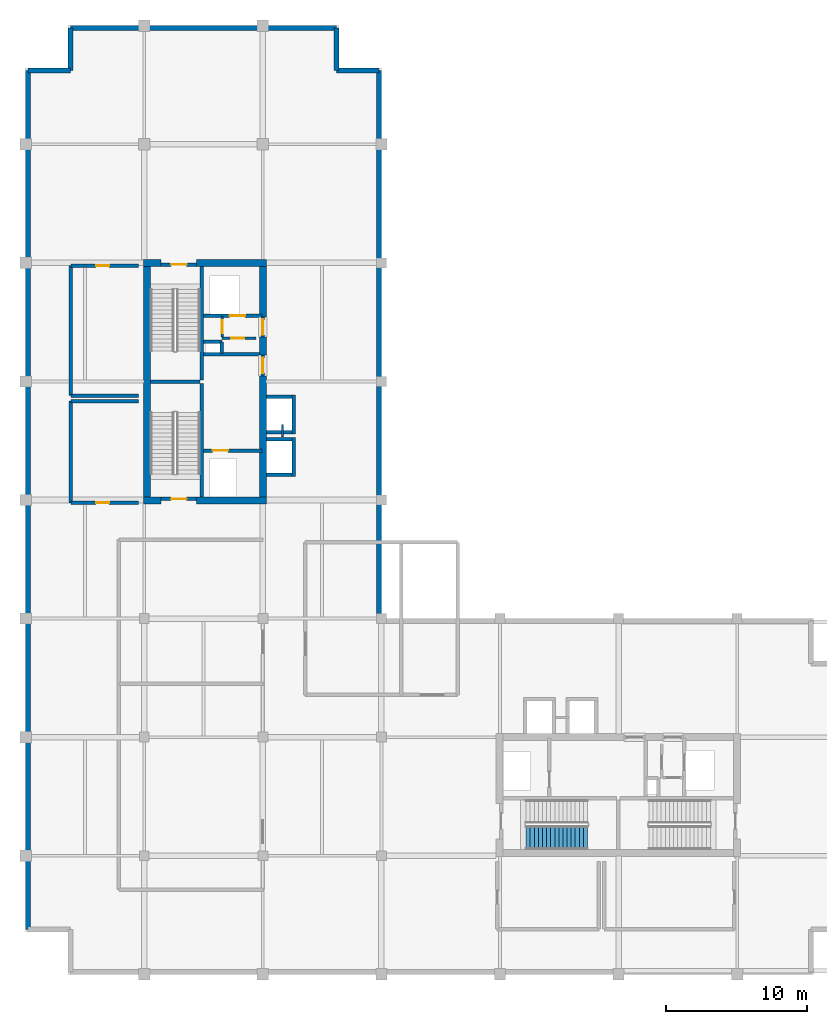
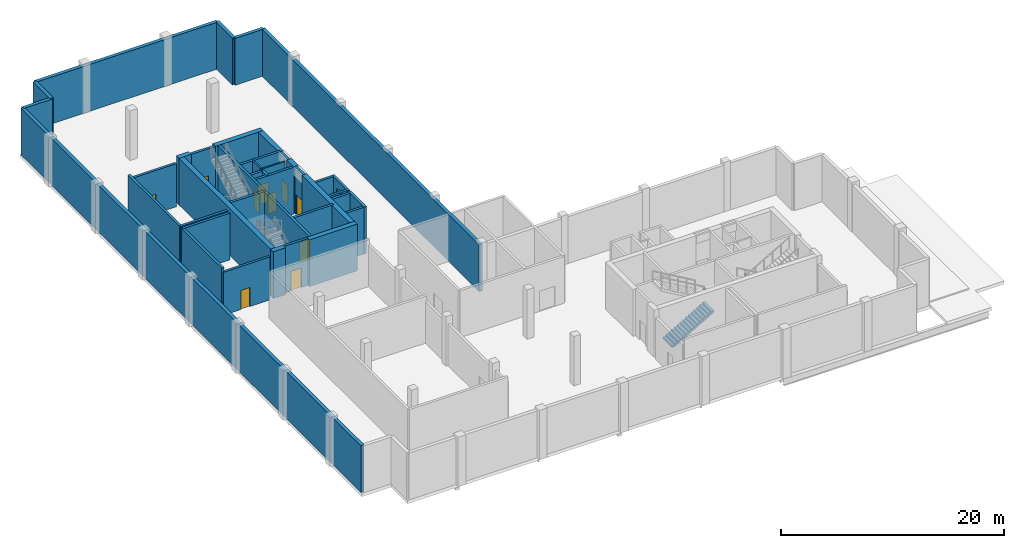
# One storey, part 4 of 7: 42 walls, 10 doors, 1 stair flight, 10 openings, 1 element without a shape of its own.
"""IFC4 building model written with IfcOpenShell, lengths in metres."""

from ifc_helpers import new_model, si_unit, direction, frame, frame_2d, origin, place, context, subcontext, project, spatial, polyline, rectangle, outline, extrude, material, layer, layer_set, type_object, element, fill, aggregate, save


model = new_model("IFC4")

# Units and contexts
model_context = context("Model", 3, precision=1e-05, world=origin(), true_north=direction((0.0, 1.0)))
body_context = subcontext(model_context, "Body", "Model", "MODEL_VIEW")
ifc_project = project(units=[si_unit("LENGTHUNIT", "METRE"), si_unit("AREAUNIT", "SQUARE_METRE"), si_unit("VOLUMEUNIT", "CUBIC_METRE"), si_unit("PLANEANGLEUNIT", "RADIAN"), si_unit("MASSUNIT", "GRAM", prefix="KILO")], contexts=[model_context])

# Site, building, storey
site_placement = place(None, origin())
site = spatial("IfcSite", under=ifc_project, at=site_placement, CompositionType="ELEMENT")
building_placement = place(site_placement, origin())
building = spatial("IfcBuilding", under=site, at=building_placement, Name="Koriwani Terraces Tower", CompositionType="ELEMENT")
storey_placement = place(building_placement, frame((0.0, 0.0, 368.60009765625)))
storey = spatial("IfcBuildingStorey", under=building, at=storey_placement, Name="L91", CompositionType="ELEMENT", Elevation=368.60009765625)

# Walls
ifc_material_1 = material(Name="Concrete C50/60", Category="concrete")
ifc_layer_1 = layer(ifc_material_1, 0.5, Name="Concrete C50/60")
ifc_layer_set_1 = layer_set([ifc_layer_1], Name="Concrete C50/60")
wall_type_1 = type_object("IfcWallType", Name="WALL_CORE_RC_500", PredefinedType="SHEAR", material=ifc_layer_set_1)
wall_1_placement = place(storey_placement, frame((16.75, 41.949951171875, 0.0), z_axis=(0.0, 0.0, 1.0), x_axis=(1.0, 0.0, 0.0)))
element("IfcWall", 1, at=wall_1_placement, inside=storey, type_object=wall_type_1, Name="L91 West Split Core Shear Wall S1", PredefinedType="SHEAR", context=body_context, shape_type="SweptSolid", body=[
    extrude(rectangle(XDim=1.25, YDim=0.5, at=frame_2d((0.625, 0.0))), origin(), (0.0, 0.0, 1.0), 5.119873046875),
])
wall_2_placement = place(storey_placement, frame((20.5, 41.949951171875, 0.0), z_axis=(0.0, 0.0, 1.0), x_axis=(1.0, 0.0, 0.0)))
element("IfcWall", 2, at=wall_2_placement, inside=storey, type_object=wall_type_1, Name="L91 West Split Core Shear Wall S2", PredefinedType="SHEAR", context=body_context, shape_type="SweptSolid", body=[
    extrude(rectangle(XDim=4.949951171875, YDim=0.5, at=frame_2d((2.47509765625, 0.0))), origin(), (0.0, 0.0, 1.0), 5.119873046875),
])
wall_3_placement = place(storey_placement, frame((16.75, 58.800048828125, 0.0), z_axis=(0.0, 0.0, 1.0), x_axis=(1.0, 0.0, 0.0)))
element("IfcWall", 3, at=wall_3_placement, inside=storey, type_object=wall_type_1, Name="L91 West Split Core Shear Wall N1", PredefinedType="SHEAR", context=body_context, shape_type="SweptSolid", body=[
    extrude(rectangle(XDim=1.25, YDim=0.5, at=frame_2d((0.625, 0.0))), origin(), (0.0, 0.0, 1.0), 5.119873046875),
])
wall_4_placement = place(storey_placement, frame((20.5, 58.800048828125, 0.0), z_axis=(0.0, 0.0, 1.0), x_axis=(1.0, 0.0, 0.0)))
element("IfcWall", 4, at=wall_4_placement, inside=storey, type_object=wall_type_1, Name="L91 West Split Core Shear Wall N2", PredefinedType="SHEAR", context=body_context, shape_type="SweptSolid", body=[
    extrude(rectangle(XDim=4.949951171875, YDim=0.5, at=frame_2d((2.47509765625, 0.0))), origin(), (0.0, 0.0, 1.0), 5.119873046875),
])
wall_5_placement = place(storey_placement, frame((17.0, 42.199951171875, 0.0), z_axis=(0.0, 0.0, 1.0), x_axis=(0.0, 1.0, 0.0)))
element("IfcWall", 5, at=wall_5_placement, inside=storey, type_object=wall_type_1, Name="L91 West Split Core Shear Wall W1", PredefinedType="SHEAR", context=body_context, shape_type="SweptSolid", body=[
    extrude(rectangle(XDim=16.35009765625, YDim=0.5, at=frame_2d((8.175048828125, 0.0))), origin(), (0.0, 0.0, 1.0), 5.119873046875),
])
wall_6_placement = place(storey_placement, frame((25.199951171875, 42.199951171875, 0.0), z_axis=(0.0, 0.0, 1.0), x_axis=(0.0, 1.0, 0.0)))
element("IfcWall", 6, at=wall_6_placement, inside=storey, type_object=wall_type_1, Name="L91 West Split Core Shear Wall E1", PredefinedType="SHEAR", context=body_context, shape_type="SweptSolid", body=[
    extrude(rectangle(XDim=8.60009765625, YDim=0.5, at=frame_2d((4.300048828125, 0.0))), origin(), (0.0, 0.0, 1.0), 5.119873046875),
])
wall_7_placement = place(storey_placement, frame((25.199951171875, 52.280029296875, 0.0), z_axis=(0.0, 0.0, 1.0), x_axis=(0.0, 1.0, 0.0)))
element("IfcWall", 7, at=wall_7_placement, inside=storey, type_object=wall_type_1, Name="L91 West Split Core Shear Wall E2", PredefinedType="SHEAR", context=body_context, shape_type="SweptSolid", body=[
    extrude(rectangle(XDim=1.27001953125, YDim=0.5, at=frame_2d((0.635009765625, 0.0))), origin(), (0.0, 0.0, 1.0), 5.119873046875),
])
wall_8_placement = place(storey_placement, frame((25.199951171875, 54.949951171875, 0.0), z_axis=(0.0, 0.0, 1.0), x_axis=(0.0, 1.0, 0.0)))
element("IfcWall", 8, at=wall_8_placement, inside=storey, type_object=wall_type_1, Name="L91 West Split Core Shear Wall E3", PredefinedType="SHEAR", context=body_context, shape_type="SweptSolid", body=[
    extrude(rectangle(XDim=3.60009765625, YDim=0.5, at=frame_2d((1.800048828125, 0.0))), origin(), (0.0, 0.0, 1.0), 5.119873046875),
])
ifc_layer_2 = layer(ifc_material_1, 0.35009765625, Name="Concrete C50/60")
ifc_layer_set_2 = layer_set([ifc_layer_2], Name="Concrete C50/60")
wall_type_2 = type_object("IfcWallType", Name="WALL_EXT_BRUTALIST_350", PredefinedType="STANDARD", material=ifc_layer_set_2)
wall_9_placement = place(storey_placement, frame((8.574951171875, 11.574951171875, 0.0), z_axis=(0.0, 0.0, 1.0), x_axis=(0.0, 1.0, 0.0)))
element("IfcWall", 9, at=wall_9_placement, inside=storey, type_object=wall_type_2, Name="L91 Fair-Faced Brutalist Exterior Wall (W)", PredefinedType="STANDARD", context=body_context, shape_type="SweptSolid", body=[
    extrude(rectangle(XDim=60.85009765625, YDim=0.35009765625, at=frame_2d((30.425048828125, 0.0))), origin(), (0.0, 0.0, 1.0), 5.119873046875),
])
for number, where, z_axis, x_axis, name in (
    (10, (8.574951171875, 72.425048828125, 0.0), (0.0, 0.0, 1.0), (1.0, 0.0, 0.0), "L91 Fair-Faced Brutalist Exterior Wall (N3)"),
    (11, (11.574951171875, 72.425048828125, 0.0), (0.0, 0.0, 1.0), (0.0, 1.0, 0.0), "L91 Fair-Faced Brutalist Exterior Wall (N4)"),
):
    element("IfcWall", number, at=place(storey_placement, frame(where, z_axis=z_axis, x_axis=x_axis)), inside=storey, type_object=wall_type_2, Name=name, PredefinedType="STANDARD", context=body_context, shape_type="SweptSolid", body=[
        extrude(rectangle(XDim=3.0, YDim=0.35009765625, at=frame_2d((1.5, 0.0))), origin(), (0.0, 0.0, 1.0), 5.119873046875),
    ])
wall_10_placement = place(storey_placement, frame((11.574951171875, 75.425048828125, 0.0), z_axis=(0.0, 0.0, 1.0), x_axis=(1.0, 0.0, 0.0)))
element("IfcWall", 12, at=wall_10_placement, inside=storey, type_object=wall_type_2, Name="L91 Fair-Faced Brutalist Exterior Wall (N_TIP)", PredefinedType="STANDARD", context=body_context, shape_type="SweptSolid", body=[
    extrude(rectangle(XDim=18.85009765625, YDim=0.35009765625, at=frame_2d((9.425048828125, 0.0))), origin(), (0.0, 0.0, 1.0), 5.119873046875),
])
for number, where, z_axis, x_axis, name in (
    (13, (30.425048828125, 75.425048828125, 0.0), (0.0, 0.0, 1.0), (0.0, -1.0, 0.0), "L91 Fair-Faced Brutalist Exterior Wall (N6)"),
    (14, (30.425048828125, 72.425048828125, 0.0), (0.0, 0.0, 1.0), (1.0, 0.0, 0.0), "L91 Fair-Faced Brutalist Exterior Wall (N7)"),
):
    element("IfcWall", number, at=place(storey_placement, frame(where, z_axis=z_axis, x_axis=x_axis)), inside=storey, type_object=wall_type_2, Name=name, PredefinedType="STANDARD", context=body_context, shape_type="SweptSolid", body=[
        extrude(rectangle(XDim=3.0, YDim=0.35009765625, at=frame_2d((1.5, 0.0))), origin(), (0.0, 0.0, 1.0), 5.119873046875),
    ])
wall_11_placement = place(storey_placement, frame((33.425048828125, 72.425048828125, 0.0), z_axis=(0.0, 0.0, 1.0), x_axis=(0.0, -1.0, 0.0)))
element("IfcWall", 15, at=wall_11_placement, inside=storey, type_object=wall_type_2, Name="L91 Fair-Faced Brutalist Exterior Wall (NW_IN)", PredefinedType="STANDARD", context=body_context, shape_type="SweptSolid", body=[
    extrude(rectangle(XDim=39.0, YDim=0.35009765625, at=frame_2d((19.5, 0.0))), origin(), (0.0, 0.0, 1.0), 5.119873046875),
])
ifc_material_2 = material(Name="Concrete C40/50", Category="concrete")
ifc_layer_3 = layer(ifc_material_2, 0.25, Name="Concrete C40/50")
ifc_layer_set_3 = layer_set([ifc_layer_3], Name="Concrete C40/50")
wall_type_3 = type_object("IfcWallType", Name="WALL_SHAFT_RATED_250", PredefinedType="SOLIDWALL", material=ifc_layer_set_3)
for number, where, z_axis, x_axis, name in (
    (16, (20.875, 42.199951171875, 0.0), (0.0, 0.0, 1.0), (0.0, 1.0, 0.0), "L91 West Split Core Web Wall MID1"),
    (17, (20.875, 50.5, 0.0), (0.0, 0.0, 1.0), (0.0, 1.0, 0.0), "L91 West Split Core Web Wall MID2"),
):
    element("IfcWall", number, at=place(storey_placement, frame(where, z_axis=z_axis, x_axis=x_axis)), inside=storey, type_object=wall_type_3, Name=name, PredefinedType="SOLIDWALL", context=body_context, shape_type="SweptSolid", body=[
        extrude(rectangle(XDim=8.050048828125, YDim=0.25, at=frame_2d((4.02490234375, 0.0))), origin(), (0.0, 0.0, 1.0), 5.119873046875),
    ])
wall_12_placement = place(storey_placement, frame((17.25, 50.375, 0.0), z_axis=(0.0, 0.0, 1.0), x_axis=(1.0, 0.0, 0.0)))
element("IfcWall", 18, at=wall_12_placement, inside=storey, type_object=wall_type_3, Name="L91 West Split Core Stair Dividing Wall", PredefinedType="SOLIDWALL", context=body_context, shape_type="SweptSolid", body=[
    extrude(rectangle(XDim=3.5, YDim=0.25, at=frame_2d((1.75, 0.0))), origin(), (0.0, 0.0, 1.0), 5.119873046875),
])

# Wall, opening, door
wall_13_placement = place(storey_placement, frame((18.0, 42.074951171875, 0.0), z_axis=(0.0, 0.0, 1.0), x_axis=(1.0, 0.0, 0.0)))
wall_13 = element("IfcWall", 19, at=wall_13_placement, inside=storey, type_object=wall_type_3, Name="L91 Interior Wall WIN-CW-L91-STS", PredefinedType="SOLIDWALL", context=body_context, shape_type="SweptSolid", body=[
    extrude(rectangle(XDim=2.5, YDim=0.25, at=frame_2d((1.25, 0.0))), origin(), (0.0, 0.0, 1.0), 5.119873046875),
])
opening_1_placement = place(wall_13_placement, frame((0.699951171875, 0.0, 0.0)))
opening_1 = element("IfcOpeningElement", 20, at=opening_1_placement, cuts=wall_13, Name="Opening D-03", PredefinedType="OPENING", context=body_context, shape_type="SweptSolid", body=[
    extrude(rectangle(XDim=1.10009765625, YDim=2.14990234375, at=frame_2d((0.550048828125, 1.074951171875))), frame((0.0, 0.135009765625, 0.0), z_axis=(0.0, -1.0, 0.0), x_axis=(1.0, 0.0, 0.0)), (0.0, 0.0, 1.0), 0.27001953125),
])
ifc_material_3 = material(Name="Steel ASTM A572 Grade 50", Category="steel")
door_type_1 = type_object("IfcDoorType", Name="DOOR_STAIR_FIRE_1100X2150", OperationType="NOTDEFINED", PredefinedType="DOOR", material=ifc_material_3)
door_1_placement = place(opening_1_placement, origin())
door_1 = element("IfcDoor", 21, at=door_1_placement, inside=storey, type_object=door_type_1, Name="L91 Exit Stair ST-W1 Door", OperationType="SINGLE_SWING_LEFT", OverallHeight=2.14990234375, OverallWidth=1.10009765625, PredefinedType="DOOR", context=body_context, shape_type="SweptSolid", body=[
    extrude(rectangle(XDim=1.10009765625, YDim=2.14990234375, at=frame_2d((0.550048828125, 1.074951171875))), frame((0.0, 0.02490234375, 0.0), z_axis=(0.0, -1.0, 0.0), x_axis=(1.0, 0.0, 0.0)), (0.0, 0.0, 1.0), 0.050048828125),
])
fill(opening_1, door_1)

wall_14_placement = place(storey_placement, frame((18.0, 58.675048828125, 0.0), z_axis=(0.0, 0.0, 1.0), x_axis=(1.0, 0.0, 0.0)))
wall_14 = element("IfcWall", 22, at=wall_14_placement, inside=storey, type_object=wall_type_3, Name="L91 Interior Wall WIN-CW-L91-STN", PredefinedType="SOLIDWALL", context=body_context, shape_type="SweptSolid", body=[
    extrude(rectangle(XDim=2.5, YDim=0.25, at=frame_2d((1.25, 0.0))), origin(), (0.0, 0.0, 1.0), 5.119873046875),
])
opening_2_placement = place(wall_14_placement, frame((0.699951171875, 0.0, 0.0)))
opening_2 = element("IfcOpeningElement", 23, at=opening_2_placement, cuts=wall_14, Name="Opening D-03", PredefinedType="OPENING", context=body_context, shape_type="SweptSolid", body=[
    extrude(rectangle(XDim=1.10009765625, YDim=2.14990234375, at=frame_2d((0.550048828125, 1.074951171875))), frame((0.0, 0.135009765625, 0.0), z_axis=(0.0, -1.0, 0.0), x_axis=(1.0, 0.0, 0.0)), (0.0, 0.0, 1.0), 0.27001953125),
])
door_2_placement = place(opening_2_placement, origin())
door_2 = element("IfcDoor", 24, at=door_2_placement, inside=storey, type_object=door_type_1, Name="L91 Exit Stair ST-W2 Door", OperationType="SINGLE_SWING_RIGHT", OverallHeight=2.14990234375, OverallWidth=1.10009765625, PredefinedType="DOOR", context=body_context, shape_type="SweptSolid", body=[
    extrude(rectangle(XDim=1.10009765625, YDim=2.14990234375, at=frame_2d((0.550048828125, 1.074951171875))), frame((0.0, 0.02490234375, 0.0), z_axis=(0.0, -1.0, 0.0), x_axis=(1.0, 0.0, 0.0)), (0.0, 0.0, 1.0), 0.050048828125),
])
fill(opening_2, door_2)

wall_15_placement = place(storey_placement, frame((21.0, 45.5, 0.0), z_axis=(0.0, 0.0, 1.0), x_axis=(1.0, 0.0, 0.0)))
wall_15 = element("IfcWall", 25, at=wall_15_placement, inside=storey, type_object=wall_type_3, Name="L91 Interior Wall WIN-CW-L91-FE", PredefinedType="SOLIDWALL", context=body_context, shape_type="SweptSolid", body=[
    extrude(rectangle(XDim=4.14990234375, YDim=0.25, at=frame_2d((2.074951171875, 0.0))), origin(), (0.0, 0.0, 1.0), 5.119873046875),
])
opening_3_placement = place(wall_15_placement, frame((0.64990234375, 0.0, 0.0)))
opening_3 = element("IfcOpeningElement", 26, at=opening_3_placement, cuts=wall_15, Name="Opening LD-01", PredefinedType="OPENING", context=body_context, shape_type="SweptSolid", body=[
    extrude(rectangle(XDim=1.10009765625, YDim=2.14990234375, at=frame_2d((0.550048828125, 1.074951171875))), frame((0.0, 0.135009765625, 0.0), z_axis=(0.0, -1.0, 0.0), x_axis=(1.0, 0.0, 0.0)), (0.0, 0.0, 1.0), 0.27001953125),
])
door_type_2 = type_object("IfcDoorType", Name="DOOR_LIFT_LANDING_1100X2200", OperationType="NOTDEFINED", PredefinedType="DOOR", material=ifc_material_3)
door_3_placement = place(opening_3_placement, origin())
door_3 = element("IfcDoor", 27, at=door_3_placement, inside=storey, type_object=door_type_2, Name="L91 Firefighting Lift FE-01 Landing Door", OperationType="SLIDING_TO_LEFT", OverallHeight=2.14990234375, OverallWidth=1.10009765625, PredefinedType="DOOR", context=body_context, shape_type="SweptSolid", body=[
    extrude(rectangle(XDim=1.10009765625, YDim=2.14990234375, at=frame_2d((0.550048828125, 1.074951171875))), frame((0.0, 0.02490234375, 0.0), z_axis=(0.0, -1.0, 0.0), x_axis=(1.0, 0.0, 0.0)), (0.0, 0.0, 1.0), 0.050048828125),
])
fill(opening_3, door_3)

wall_16_placement = place(storey_placement, frame((25.199951171875, 50.800048828125, 0.0), z_axis=(0.0, 0.0, 1.0), x_axis=(0.0, 1.0, 0.0)))
wall_16 = element("IfcWall", 28, at=wall_16_placement, inside=storey, type_object=wall_type_3, Name="L91 Interior Wall WIN-CW-L91-EP", PredefinedType="SOLIDWALL", context=body_context, shape_type="SweptSolid", body=[
    extrude(rectangle(XDim=1.47998046875, YDim=0.25, at=frame_2d((0.739990234375, 0.0))), origin(), (0.0, 0.0, 1.0), 5.119873046875),
])
opening_4_placement = place(wall_16_placement, frame((0.179931640625, 0.0, 0.0)))
opening_4 = element("IfcOpeningElement", 29, at=opening_4_placement, cuts=wall_16, Name="Opening D-03", PredefinedType="OPENING", context=body_context, shape_type="SweptSolid", body=[
    extrude(rectangle(XDim=1.10009765625, YDim=2.14990234375, at=frame_2d((0.550048828125, 1.074951171875))), frame((0.0, 0.135009765625, 0.0), z_axis=(0.0, -1.0, 0.0), x_axis=(1.0, 0.0, 0.0)), (0.0, 0.0, 1.0), 0.27001953125),
])
door_4_placement = place(opening_4_placement, origin())
door_4 = element("IfcDoor", 30, at=door_4_placement, inside=storey, type_object=door_type_1, Name="L91 West Firefighting Lobby Door", OperationType="SINGLE_SWING_LEFT", OverallHeight=2.14990234375, OverallWidth=1.10009765625, PredefinedType="DOOR", context=body_context, shape_type="SweptSolid", body=[
    extrude(rectangle(XDim=1.10009765625, YDim=2.14990234375, at=frame_2d((0.550048828125, 1.074951171875))), frame((0.0, 0.02490234375, 0.0), z_axis=(0.0, -1.0, 0.0), x_axis=(1.0, 0.0, 0.0)), (0.0, 0.0, 1.0), 0.050048828125),
])
fill(opening_4, door_4)

# Wall
wall_17_placement = place(storey_placement, frame((21.0, 52.340087890625, 0.0), z_axis=(0.0, 0.0, 1.0), x_axis=(1.0, 0.0, 0.0)))
element("IfcWall", 31, at=wall_17_placement, inside=storey, type_object=wall_type_3, Name="L91 Interior Wall WIN-CW-L91-FFN", PredefinedType="SOLIDWALL", context=body_context, shape_type="SweptSolid", body=[
    extrude(rectangle(XDim=3.949951171875, YDim=0.25, at=frame_2d((1.97509765625, 0.0))), origin(), (0.0, 0.0, 1.0), 5.119873046875),
])

# Wall, opening, door
wall_18_placement = place(storey_placement, frame((21.0, 55.050048828125, 0.0), z_axis=(0.0, 0.0, 1.0), x_axis=(1.0, 0.0, 0.0)))
wall_18 = element("IfcWall", 32, at=wall_18_placement, inside=storey, type_object=wall_type_3, Name="L91 Interior Wall WIN-CW-L91-SE", PredefinedType="SOLIDWALL", context=body_context, shape_type="SweptSolid", body=[
    extrude(rectangle(XDim=4.14990234375, YDim=0.25, at=frame_2d((2.074951171875, 0.0))), origin(), (0.0, 0.0, 1.0), 5.119873046875),
])
opening_5_placement = place(wall_18_placement, frame((1.85009765625, 0.0, 0.0)))
opening_5 = element("IfcOpeningElement", 33, at=opening_5_placement, cuts=wall_18, Name="Opening LD-01", PredefinedType="OPENING", context=body_context, shape_type="SweptSolid", body=[
    extrude(rectangle(XDim=1.10009765625, YDim=2.14990234375, at=frame_2d((0.550048828125, 1.074951171875))), frame((0.0, 0.135009765625, 0.0), z_axis=(0.0, -1.0, 0.0), x_axis=(1.0, 0.0, 0.0)), (0.0, 0.0, 1.0), 0.27001953125),
])
door_5_placement = place(opening_5_placement, origin())
door_5 = element("IfcDoor", 34, at=door_5_placement, inside=storey, type_object=door_type_2, Name="L91 Goods Lift SE-01 Landing Door", OperationType="SLIDING_TO_LEFT", OverallHeight=2.14990234375, OverallWidth=1.10009765625, PredefinedType="DOOR", context=body_context, shape_type="SweptSolid", body=[
    extrude(rectangle(XDim=1.10009765625, YDim=2.14990234375, at=frame_2d((0.550048828125, 1.074951171875))), frame((0.0, 0.02490234375, 0.0), z_axis=(0.0, -1.0, 0.0), x_axis=(1.0, 0.0, 0.0)), (0.0, 0.0, 1.0), 0.050048828125),
])
fill(opening_5, door_5)

wall_19_placement = place(storey_placement, frame((25.199951171875, 53.550048828125, 0.0), z_axis=(0.0, 0.0, 1.0), x_axis=(0.0, 1.0, 0.0)))
wall_19 = element("IfcWall", 35, at=wall_19_placement, inside=storey, type_object=wall_type_3, Name="L91 Interior Wall WIN-CW-L91-EP2", PredefinedType="SOLIDWALL", context=body_context, shape_type="SweptSolid", body=[
    extrude(rectangle(XDim=1.39990234375, YDim=0.25, at=frame_2d((0.699951171875, 0.0))), origin(), (0.0, 0.0, 1.0), 5.119873046875),
])
opening_6_placement = place(wall_19_placement, frame((0.14990234375, 0.0, 0.0)))
opening_6 = element("IfcOpeningElement", 36, at=opening_6_placement, cuts=wall_19, Name="Opening D-03", PredefinedType="OPENING", context=body_context, shape_type="SweptSolid", body=[
    extrude(rectangle(XDim=1.10009765625, YDim=2.14990234375, at=frame_2d((0.550048828125, 1.074951171875))), frame((0.0, 0.135009765625, 0.0), z_axis=(0.0, -1.0, 0.0), x_axis=(1.0, 0.0, 0.0)), (0.0, 0.0, 1.0), 0.27001953125),
])
door_6_placement = place(opening_6_placement, origin())
door_6 = element("IfcDoor", 37, at=door_6_placement, inside=storey, type_object=door_type_1, Name="L91 West Goods Lift Lobby Door", OperationType="SINGLE_SWING_RIGHT", OverallHeight=2.14990234375, OverallWidth=1.10009765625, PredefinedType="DOOR", context=body_context, shape_type="SweptSolid", body=[
    extrude(rectangle(XDim=1.10009765625, YDim=2.14990234375, at=frame_2d((0.550048828125, 1.074951171875))), frame((0.0, 0.02490234375, 0.0), z_axis=(0.0, -1.0, 0.0), x_axis=(1.0, 0.0, 0.0)), (0.0, 0.0, 1.0), 0.050048828125),
])
fill(opening_6, door_6)

# Walls
wall_20_placement = place(storey_placement, frame((21.0, 53.199951171875, 0.0), z_axis=(0.0, 0.0, 1.0), x_axis=(1.0, 0.0, 0.0)))
element("IfcWall", 38, at=wall_20_placement, inside=storey, type_object=wall_type_3, Name="L91 Interior Wall WIN-CW-L91-RS1", PredefinedType="SOLIDWALL", context=body_context, shape_type="SweptSolid", body=[
    extrude(rectangle(XDim=1.300048828125, YDim=0.25, at=frame_2d((0.64990234375, 0.0))), origin(), (0.0, 0.0, 1.0), 5.119873046875),
])
wall_21_placement = place(storey_placement, frame((22.300048828125, 52.360107421875, 0.0), z_axis=(0.0, 0.0, 1.0), x_axis=(0.0, 1.0, 0.0)))
element("IfcWall", 39, at=wall_21_placement, inside=storey, type_object=wall_type_3, Name="L91 Interior Wall WIN-CW-L91-RS2", PredefinedType="SOLIDWALL", context=body_context, shape_type="SweptSolid", body=[
    extrude(rectangle(XDim=0.83984375, YDim=0.25, at=frame_2d((0.419921875, 0.0))), origin(), (0.0, 0.0, 1.0), 5.119873046875),
])
wall_22_placement = place(storey_placement, frame((27.39990234375, 43.675048828125, 0.0), z_axis=(0.0, 0.0, 1.0), x_axis=(0.0, 1.0, 0.0)))
element("IfcWall", 40, at=wall_22_placement, inside=storey, type_object=wall_type_3, Name="L91 Interior Wall WIN-LF-PE-H1-L91-F", PredefinedType="SOLIDWALL", context=body_context, shape_type="SweptSolid", body=[
    extrude(rectangle(XDim=2.75, YDim=0.25, at=frame_2d((1.375, 0.0))), origin(), (0.0, 0.0, 1.0), 5.119873046875),
])
for number, where, z_axis, x_axis, name in (
    (41, (25.449951171875, 43.800048828125, 0.0), (0.0, 0.0, 1.0), (1.0, 0.0, 0.0), "L91 Interior Wall WIN-LF-PE-H1-L91-S"),
    (42, (25.449951171875, 46.300048828125, 0.0), (0.0, 0.0, 1.0), (1.0, 0.0, 0.0), "L91 Interior Wall WIN-LF-PE-H1-L91-N"),
):
    element("IfcWall", number, at=place(storey_placement, frame(where, z_axis=z_axis, x_axis=x_axis)), inside=storey, type_object=wall_type_3, Name=name, PredefinedType="SOLIDWALL", context=body_context, shape_type="SweptSolid", body=[
        extrude(rectangle(XDim=1.824951171875, YDim=0.25, at=frame_2d((0.91259765625, 0.0))), origin(), (0.0, 0.0, 1.0), 5.119873046875),
    ])
wall_23_placement = place(storey_placement, frame((27.39990234375, 46.675048828125, 0.0), z_axis=(0.0, 0.0, 1.0), x_axis=(0.0, 1.0, 0.0)))
element("IfcWall", 43, at=wall_23_placement, inside=storey, type_object=wall_type_3, Name="L91 Interior Wall WIN-LF-PE-H2-L91-F", PredefinedType="SOLIDWALL", context=body_context, shape_type="SweptSolid", body=[
    extrude(rectangle(XDim=2.75, YDim=0.25, at=frame_2d((1.375, 0.0))), origin(), (0.0, 0.0, 1.0), 5.119873046875),
])
for number, where, z_axis, x_axis, name in (
    (44, (25.449951171875, 46.800048828125, 0.0), (0.0, 0.0, 1.0), (1.0, 0.0, 0.0), "L91 Interior Wall WIN-LF-PE-H2-L91-S"),
    (45, (25.449951171875, 49.300048828125, 0.0), (0.0, 0.0, 1.0), (1.0, 0.0, 0.0), "L91 Interior Wall WIN-LF-PE-H2-L91-N"),
):
    element("IfcWall", number, at=place(storey_placement, frame(where, z_axis=z_axis, x_axis=x_axis)), inside=storey, type_object=wall_type_3, Name=name, PredefinedType="SOLIDWALL", context=body_context, shape_type="SweptSolid", body=[
        extrude(rectangle(XDim=1.824951171875, YDim=0.25, at=frame_2d((0.91259765625, 0.0))), origin(), (0.0, 0.0, 1.0), 5.119873046875),
    ])

# Wall, opening, door
wall_24_placement = place(storey_placement, frame((11.60009765625, 41.800048828125, 0.0), z_axis=(0.0, 0.0, 1.0), x_axis=(1.0, 0.0, 0.0)))
wall_24 = element("IfcWall", 46, at=wall_24_placement, inside=storey, type_object=wall_type_3, Name="L91 Interior Wall WPL-RECW1-L91", PredefinedType="SOLIDWALL", context=body_context, shape_type="SweptSolid", body=[
    extrude(rectangle(XDim=4.7998046875, YDim=0.25, at=frame_2d((2.39990234375, 0.0))), origin(), (0.0, 0.0, 1.0), 4.702880859375),
])
opening_7_placement = place(wall_24_placement, frame((1.800048828125, 0.0, 0.0)))
opening_7 = element("IfcOpeningElement", 47, at=opening_7_placement, cuts=wall_24, Name="Opening D-06", PredefinedType="OPENING", context=body_context, shape_type="SweptSolid", body=[
    extrude(rectangle(XDim=0.919921875, YDim=2.10009765625, at=frame_2d((0.4599609375, 1.050048828125))), frame((0.0, 0.135009765625, 0.0), z_axis=(0.0, -1.0, 0.0), x_axis=(1.0, 0.0, 0.0)), (0.0, 0.0, 1.0), 0.27001953125),
])
ifc_material_4 = material(Name="Architectural Oak Fire Door", Category="wood")
door_type_3 = type_object("IfcDoorType", Name="DOOR_ROOM_INT_920X2100", OperationType="NOTDEFINED", PredefinedType="DOOR", material=ifc_material_4)
door_7_placement = place(opening_7_placement, origin())
door_7 = element("IfcDoor", 48, at=door_7_placement, inside=storey, type_object=door_type_3, Name="L91 Reclaimed West Telemetry Room Door", OperationType="SINGLE_SWING_LEFT", OverallHeight=2.10009765625, OverallWidth=0.919921875, PredefinedType="DOOR", context=body_context, shape_type="SweptSolid", body=[
    extrude(rectangle(XDim=0.919921875, YDim=2.10009765625, at=frame_2d((0.4599609375, 1.050048828125))), frame((0.0, 0.02490234375, 0.0), z_axis=(0.0, -1.0, 0.0), x_axis=(1.0, 0.0, 0.0)), (0.0, 0.0, 1.0), 0.050048828125),
])
fill(opening_7, door_7)

# Walls
wall_25_placement = place(storey_placement, frame((11.60009765625, 41.800048828125, 0.0), z_axis=(0.0, 0.0, 1.0), x_axis=(0.0, 1.0, 0.0)))
element("IfcWall", 49, at=wall_25_placement, inside=storey, type_object=wall_type_3, Name="L91 Interior Wall WPL-RECW2-L91", PredefinedType="SOLIDWALL", context=body_context, shape_type="SweptSolid", body=[
    extrude(rectangle(XDim=7.199951171875, YDim=0.25, at=frame_2d((3.60009765625, 0.0))), origin(), (0.0, 0.0, 1.0), 5.119873046875),
])
wall_26_placement = place(storey_placement, frame((11.60009765625, 49.0, 0.0), z_axis=(0.0, 0.0, 1.0), x_axis=(1.0, 0.0, 0.0)))
element("IfcWall", 50, at=wall_26_placement, inside=storey, type_object=wall_type_3, Name="L91 Interior Wall WPL-RECW3-L91", PredefinedType="SOLIDWALL", context=body_context, shape_type="SweptSolid", body=[
    extrude(rectangle(XDim=4.7998046875, YDim=0.25, at=frame_2d((2.39990234375, 0.0))), origin(), (0.0, 0.0, 1.0), 5.119873046875),
])

# Wall, opening, door
wall_27_placement = place(storey_placement, frame((11.60009765625, 58.60009765625, 0.0), z_axis=(0.0, 0.0, 1.0), x_axis=(1.0, 0.0, 0.0)))
wall_27 = element("IfcWall", 51, at=wall_27_placement, inside=storey, type_object=wall_type_3, Name="L91 Interior Wall WPL-RECMW1-L91", PredefinedType="SOLIDWALL", context=body_context, shape_type="SweptSolid", body=[
    extrude(rectangle(XDim=4.7998046875, YDim=0.25, at=frame_2d((2.39990234375, 0.0))), origin(), (0.0, 0.0, 1.0), 4.702880859375),
])
opening_8_placement = place(wall_27_placement, frame((1.800048828125, 0.0, 0.0)))
opening_8 = element("IfcOpeningElement", 52, at=opening_8_placement, cuts=wall_27, Name="Opening D-06", PredefinedType="OPENING", context=body_context, shape_type="SweptSolid", body=[
    extrude(rectangle(XDim=0.919921875, YDim=2.10009765625, at=frame_2d((0.4599609375, 1.050048828125))), frame((0.0, 0.135009765625, 0.0), z_axis=(0.0, -1.0, 0.0), x_axis=(1.0, 0.0, 0.0)), (0.0, 0.0, 1.0), 0.27001953125),
])
door_8_placement = place(opening_8_placement, origin())
door_8 = element("IfcDoor", 53, at=door_8_placement, inside=storey, type_object=door_type_3, Name="L91 Upper Reclaimed Controls Door", OperationType="SINGLE_SWING_LEFT", OverallHeight=2.10009765625, OverallWidth=0.919921875, PredefinedType="DOOR", context=body_context, shape_type="SweptSolid", body=[
    extrude(rectangle(XDim=0.919921875, YDim=2.10009765625, at=frame_2d((0.4599609375, 1.050048828125))), frame((0.0, 0.02490234375, 0.0), z_axis=(0.0, -1.0, 0.0), x_axis=(1.0, 0.0, 0.0)), (0.0, 0.0, 1.0), 0.050048828125),
])
fill(opening_8, door_8)

# Walls
wall_28_placement = place(storey_placement, frame((11.60009765625, 49.39990234375, 0.0), z_axis=(0.0, 0.0, 1.0), x_axis=(0.0, 1.0, 0.0)))
element("IfcWall", 54, at=wall_28_placement, inside=storey, type_object=wall_type_3, Name="L91 Interior Wall WPL-RECMW2-L91", PredefinedType="SOLIDWALL", context=body_context, shape_type="SweptSolid", body=[
    extrude(rectangle(XDim=9.2001953125, YDim=0.25, at=frame_2d((4.60009765625, 0.0))), origin(), (0.0, 0.0, 1.0), 5.119873046875),
])
wall_29_placement = place(storey_placement, frame((11.60009765625, 49.39990234375, 0.0), z_axis=(0.0, 0.0, 1.0), x_axis=(1.0, 0.0, 0.0)))
element("IfcWall", 55, at=wall_29_placement, inside=storey, type_object=wall_type_3, Name="L91 Interior Wall WPL-RECMW3-L91", PredefinedType="SOLIDWALL", context=body_context, shape_type="SweptSolid", body=[
    extrude(rectangle(XDim=4.7998046875, YDim=0.25, at=frame_2d((2.39990234375, 0.0))), origin(), (0.0, 0.0, 1.0), 5.119873046875),
])

# Wall, opening, door
ifc_material_5 = material(Name="Fire-Rated Acoustic Gypsum Partition", Category="masonry")
ifc_layer_4 = layer(ifc_material_5, 0.159912109375, Name="Fire-Rated Acoustic Gypsum Partition")
ifc_layer_set_4 = layer_set([ifc_layer_4], Name="Fire-Rated Acoustic Gypsum Partition")
wall_type_4 = type_object("IfcWallType", Name="WALL_SUITE_160", PredefinedType="PARTITIONING", material=ifc_layer_set_4)
wall_30_placement = place(storey_placement, frame((22.320068359375, 53.56005859375, 0.0), z_axis=(0.0, 0.0, 1.0), x_axis=(0.0, 1.0, 0.0)))
wall_30 = element("IfcWall", 56, at=wall_30_placement, inside=storey, type_object=wall_type_4, Name="L91 Interior Wall WIN-CW-L91-SV1A", PredefinedType="PARTITIONING", context=body_context, shape_type="SweptSolid", body=[
    extrude(rectangle(XDim=1.43994140625, YDim=0.159912109375, at=frame_2d((0.719970703125, 0.0))), origin(), (0.0, 0.0, 1.0), 5.119873046875),
])
opening_9_placement = place(wall_30_placement, frame((0.260009765625, 0.0, 0.0)))
opening_9 = element("IfcOpeningElement", 57, at=opening_9_placement, cuts=wall_30, Name="Opening D-07", PredefinedType="OPENING", context=body_context, shape_type="SweptSolid", body=[
    extrude(rectangle(XDim=0.89990234375, YDim=2.10009765625, at=frame_2d((0.449951171875, 1.050048828125))), frame((0.0, 0.08984375, 0.0), z_axis=(0.0, -1.0, 0.0), x_axis=(1.0, 0.0, 0.0)), (0.0, 0.0, 1.0), 0.179931640625),
])
door_type_4 = type_object("IfcDoorType", Name="DOOR_BATH_INT_900X2100", OperationType="NOTDEFINED", PredefinedType="DOOR", material=ifc_material_4)
door_9_placement = place(opening_9_placement, origin())
door_9 = element("IfcDoor", 58, at=door_9_placement, inside=storey, type_object=door_type_4, Name="L91 West Telecom Room Door", OperationType="SINGLE_SWING_LEFT", OverallHeight=2.10009765625, OverallWidth=0.89990234375, PredefinedType="DOOR", context=body_context, shape_type="SweptSolid", body=[
    extrude(rectangle(XDim=0.89990234375, YDim=2.10009765625, at=frame_2d((0.449951171875, 1.050048828125))), frame((0.0, 0.02490234375, 0.0), z_axis=(0.0, -1.0, 0.0), x_axis=(1.0, 0.0, 0.0)), (0.0, 0.0, 1.0), 0.050048828125),
])
fill(opening_9, door_9)

wall_31_placement = place(storey_placement, frame((22.320068359375, 53.4599609375, 0.0), z_axis=(0.0, 0.0, 1.0), x_axis=(1.0, 0.0, 0.0)))
wall_31 = element("IfcWall", 59, at=wall_31_placement, inside=storey, type_object=wall_type_4, Name="L91 Interior Wall WIN-CW-L91-SV1B", PredefinedType="PARTITIONING", context=body_context, shape_type="SweptSolid", body=[
    extrude(rectangle(XDim=2.39990234375, YDim=0.159912109375, at=frame_2d((1.199951171875, 0.0))), origin(), (0.0, 0.0, 1.0), 5.119873046875),
])
opening_10_placement = place(wall_31_placement, frame((0.64990234375, 0.0, 0.0)))
opening_10 = element("IfcOpeningElement", 60, at=opening_10_placement, cuts=wall_31, Name="Opening D-07", PredefinedType="OPENING", context=body_context, shape_type="SweptSolid", body=[
    extrude(rectangle(XDim=0.89990234375, YDim=2.10009765625, at=frame_2d((0.449951171875, 1.050048828125))), frame((0.0, 0.08984375, 0.0), z_axis=(0.0, -1.0, 0.0), x_axis=(1.0, 0.0, 0.0)), (0.0, 0.0, 1.0), 0.179931640625),
])
door_10_placement = place(opening_10_placement, origin())
door_10 = element("IfcDoor", 61, at=door_10_placement, inside=storey, type_object=door_type_4, Name="L91 West Cleaners Closet Door", OperationType="SINGLE_SWING_RIGHT", OverallHeight=2.10009765625, OverallWidth=0.89990234375, PredefinedType="DOOR", context=body_context, shape_type="SweptSolid", body=[
    extrude(rectangle(XDim=0.89990234375, YDim=2.10009765625, at=frame_2d((0.449951171875, 1.050048828125))), frame((0.0, 0.02490234375, 0.0), z_axis=(0.0, -1.0, 0.0), x_axis=(1.0, 0.0, 0.0)), (0.0, 0.0, 1.0), 0.050048828125),
])
fill(opening_10, door_10)

# Wall
wall_32_placement = place(storey_placement, frame((26.60009765625, 46.4599609375, 0.0), z_axis=(0.0, 0.0, 1.0), x_axis=(0.0, 1.0, 0.0)))
element("IfcWall", 62, at=wall_32_placement, inside=storey, type_object=wall_type_4, Name="L91 Interior Wall WIN-LF-PEH12-MID-L91", PredefinedType="PARTITIONING", context=body_context, shape_type="SweptSolid", body=[
    extrude(rectangle(XDim=0.880126953125, YDim=0.159912109375, at=frame_2d((0.43994140625, 0.0))), origin(), (0.0, 0.0, 1.0), 5.119873046875),
])

# Stair, stair flight
stair_type = type_object("IfcStairType", Name="STAIR_CORE_DOGLEG_1650", PredefinedType="TWO_STRAIGHT_RUN_STAIR", material=ifc_material_2)
stair_placement = place(storey_placement, origin())
stair = element("IfcStair", 63, at=stair_placement, inside=storey, type_object=stair_type, Name="L91 East Core Exit Stair 1", PredefinedType="HALF_TURN_STAIR")
stair_flight_type = type_object("IfcStairFlightType", Name="STAIR_FLIGHT_RC_1650", PredefinedType="STRAIGHT", material=ifc_material_2)
stair_flight_placement = place(storey_placement, frame((43.85009765625, 18.074951171875, 0.0), z_axis=(0.0, 0.0, 1.0), x_axis=(1.0, 0.0, 0.0)))
stair_flight = element("IfcStairFlight", 64, at=stair_flight_placement, type_object=stair_flight_type, Name="ST-E1 flight 1", NumberOfRisers=16, NumberOfTreads=15, PredefinedType="STRAIGHT", RiserHeight=0.16875, TreadLength=0.29, context=body_context, shape_type="SweptSolid", body=[
    extrude(outline(polyline([(0.0, 0.0), (0.0, 0.168701171875), (0.2900390625, 0.168701171875), (0.2900390625, 0.33740234375), (0.580078125, 0.33740234375), (0.580078125, 0.50634765625), (0.8701171875, 0.50634765625), (0.8701171875, 0.675048828125), (1.159912109375, 0.675048828125), (1.159912109375, 0.84375), (1.449951171875, 0.84375), (1.449951171875, 1.012451171875), (1.739990234375, 1.012451171875), (1.739990234375, 1.18115234375), (2.030029296875, 1.18115234375), (2.030029296875, 1.35009765625), (2.320068359375, 1.35009765625), (2.320068359375, 1.518798828125), (2.610107421875, 1.518798828125), (2.610107421875, 1.6875), (2.89990234375, 1.6875), (2.89990234375, 1.856201171875), (3.18994140625, 1.856201171875), (3.18994140625, 2.02490234375), (3.47998046875, 2.02490234375), (3.47998046875, 2.19384765625), (3.77001953125, 2.19384765625), (3.77001953125, 2.362548828125), (4.06005859375, 2.362548828125), (4.06005859375, 2.53125), (4.35009765625, 2.53125), (4.35009765625, 2.699951171875), (4.35009765625, 2.322998046875), (0.357666015625, 0.0), (0.0, 0.0)])), frame((0.0, 0.824951171875, 0.0), z_axis=(0.0, -1.0, 0.0), x_axis=(1.0, 0.0, 0.0)), (0.0, 0.0, 1.0), 1.64990234375),
])
aggregate(stair, [stair_flight])

save(model, "model.ifc")
